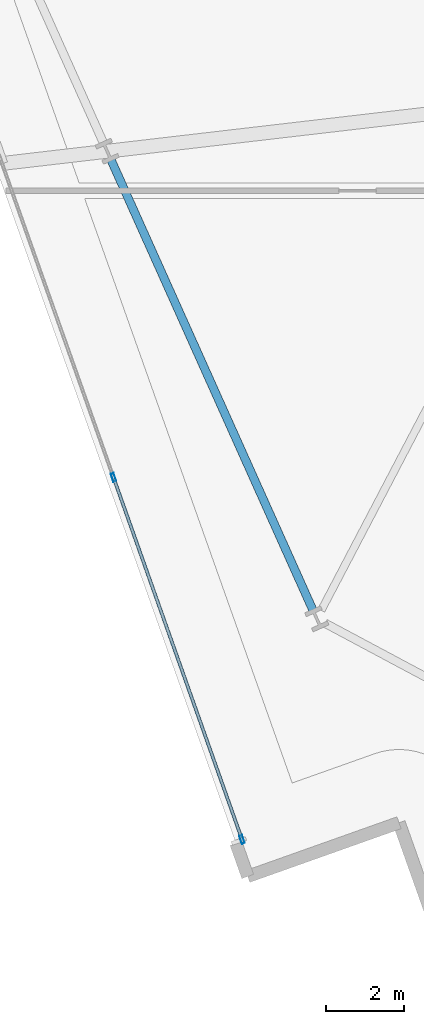
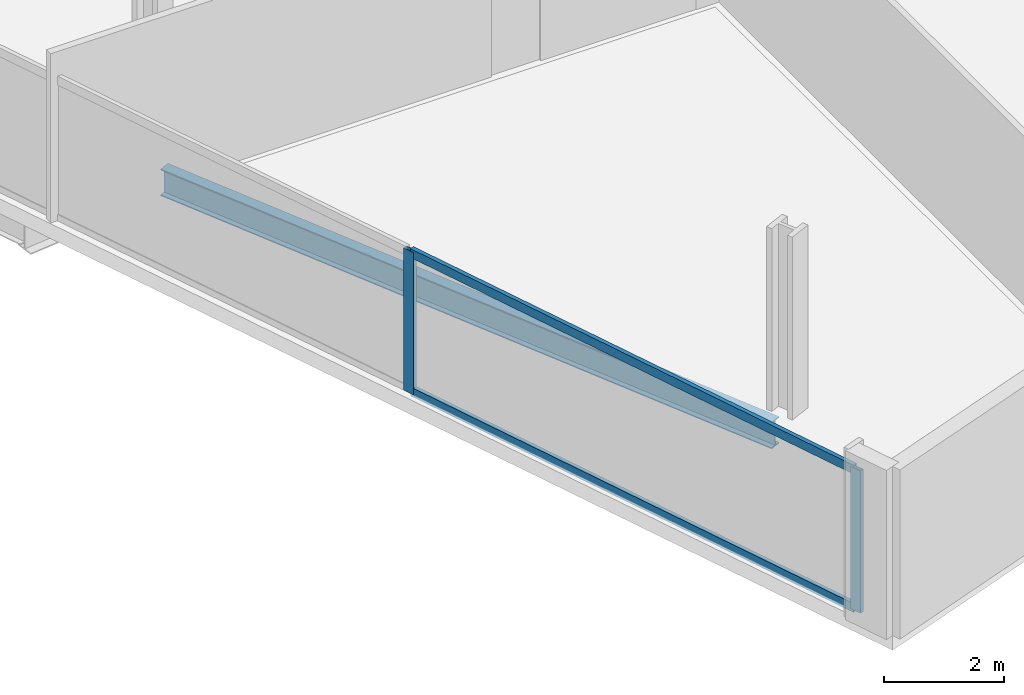
# One storey, part 2 of 33: 4 members, 1 beam, 1 element without a shape of its own.
"""IFC4 building model written with IfcOpenShell, lengths in metres."""

from ifc_helpers import new_model, si_unit, direction, frame, origin, origin_2d, place, context, subcontext, project, spatial, hollow_rectangle, i_section, extrude, material, material_profile, profile_set, type_object, element, aggregate, save


model = new_model("IFC4")

# Units and contexts
model_context = context("Model", 3, precision=1e-05, world=origin(), true_north=direction((0.0, 1.0)))
body_context = subcontext(model_context, "Body", "Model", "MODEL_VIEW")
ifc_project = project(units=[si_unit("LENGTHUNIT", "METRE"), si_unit("AREAUNIT", "SQUARE_METRE"), si_unit("VOLUMEUNIT", "CUBIC_METRE"), si_unit("PLANEANGLEUNIT", "RADIAN"), si_unit("MASSUNIT", "GRAM", prefix="KILO")], contexts=[model_context])

# Site, building, storey
site_placement = place(None, origin())
site = spatial("IfcSite", under=ifc_project, at=site_placement, CompositionType="ELEMENT")
building_placement = place(site_placement, origin())
building = spatial("IfcBuilding", under=site, at=building_placement, Name="Haldenkirk Collegiate Tower", CompositionType="ELEMENT")
storey_placement = place(building_placement, frame((0.0, 0.0, 94.199951171875)))
storey = spatial("IfcBuildingStorey", under=building, at=storey_placement, Name="L22", CompositionType="ELEMENT", Elevation=94.199951171875)

# Beam
ifc_material_1 = material(Name="Steel ASTM A992 Grade 50", Category="steel")
ifc_material_profile_1 = material_profile(ifc_material_1, i_section(OverallWidth=0.2119140625, OverallDepth=0.5439453125, WebThickness=0.01318359375, FlangeThickness=0.021240234375, at=origin_2d()), Name="W21X83")
ifc_profile_set_1 = profile_set([ifc_material_profile_1], Name="Steel ASTM A992 Grade 50")
beam_type = type_object("IfcBeamType", Name="BM-SPANDREL-W21X83", PredefinedType="SPANDREL", material=ifc_profile_set_1)
beam_placement = place(storey_placement, frame((14.742919921875, 16.3369140625, -0.572021484375), z_axis=(0.409131045523, -0.91247563671, 0.0), x_axis=(0.91247563671, 0.409131045523, 0.0)))
element("IfcBeam", 1, at=beam_placement, inside=storey, type_object=beam_type, Name="L22 perimeter spandrel beam 15", PredefinedType="SPANDREL", context=body_context, shape_type="SweptSolid", body=[
    extrude(i_section(OverallWidth=0.2119140625, OverallDepth=0.5439453125, WebThickness=0.01318359375, FlangeThickness=0.021240234375, at=origin_2d()), origin(), (0.0, 0.0, 1.0), 12.593994140625),
])

# Curtain wall, members
ifc_material_2 = material(Name="Anodised architectural bronze aluminium", Category="aluminium")
curtain_wall_type = type_object("IfcCurtainWallType", Name="CW-SYS1-CONVEX-LOW", PredefinedType="USERDEFINED", material=ifc_material_2)
curtain_wall_placement = place(storey_placement, origin())
curtain_wall = element("IfcCurtainWall", 2, at=curtain_wall_placement, inside=storey, type_object=curtain_wall_type, Name="L22 Lower tower convex bronze-framed unitised curtain wall", ObjectType="UNITISED CURTAIN WALL", PredefinedType="USERDEFINED")
ifc_material_profile_2 = material_profile(ifc_material_2, hollow_rectangle(XDim=0.080078125, YDim=0.219970703125, WallThickness=0.0048828125, at=origin_2d()), Name="CW-MUL-1A")
ifc_profile_set_2 = profile_set([ifc_material_profile_2], Name="Anodised architectural bronze aluminium")
member_type_1 = type_object("IfcMemberType", Name="CW-MUL-1A", PredefinedType="MULLION", material=ifc_profile_set_2)
member_1_placement = place(storey_placement, frame((18.086181640625, -1.01171875, 0.0), z_axis=(0.0, 0.0, 1.0), x_axis=(-0.942350931235, -0.334626242845, 0.0)))
member_1 = element("IfcMember", 3, at=member_1_placement, type_object=member_type_1, Name="CW-1A mullion 1", PredefinedType="MULLION", context=body_context, shape_type="SweptSolid", body=[
    extrude(hollow_rectangle(XDim=0.080078125, YDim=0.219970703125, WallThickness=0.0048828125, at=origin_2d()), origin(), (0.0, 0.0, 1.0), 2.901123046875),
])
member_2_placement = place(storey_placement, frame((14.803466796875, 8.232666015625, 0.0), z_axis=(0.0, 0.0, 1.0), x_axis=(-0.942350931235, -0.334626242845, 0.0)))
member_2 = element("IfcMember", 4, at=member_2_placement, type_object=member_type_1, Name="CW-1A mullion 2", PredefinedType="MULLION", context=body_context, shape_type="SweptSolid", body=[
    extrude(hollow_rectangle(XDim=0.080078125, YDim=0.219970703125, WallThickness=0.0048828125, at=origin_2d()), origin(), (0.0, 0.0, 1.0), 2.901123046875),
])
ifc_material_profile_3 = material_profile(ifc_material_2, hollow_rectangle(XDim=0.080078125, YDim=0.179931640625, WallThickness=0.0048828125, at=origin_2d()), Name="CW-TRN-1A")
ifc_profile_set_3 = profile_set([ifc_material_profile_3], Name="Anodised architectural bronze aluminium")
member_type_2 = type_object("IfcMemberType", Name="CW-TRN-1A", PredefinedType="USERDEFINED", material=ifc_profile_set_3)
member_3_placement = place(storey_placement, frame((18.07275390625, -0.97412109375, 0.0400390625), z_axis=(-0.334617593947, 0.94235400239, 0.0), x_axis=(-0.94235400239, -0.334617593947, 0.0)))
member_3 = element("IfcMember", 5, at=member_3_placement, type_object=member_type_2, Name="CW-1A transom 1.1", ObjectType="TRANSOM", PredefinedType="USERDEFINED", context=body_context, shape_type="SweptSolid", body=[
    extrude(hollow_rectangle(XDim=0.080078125, YDim=0.179931640625, WallThickness=0.0048828125, at=origin_2d()), origin(), (0.0, 0.0, 1.0), 9.72998046875),
])
member_4_placement = place(storey_placement, frame((18.07275390625, -0.97412109375, 2.861083984375), z_axis=(-0.334617593947, 0.94235400239, 0.0), x_axis=(-0.94235400239, -0.334617593947, 0.0)))
member_4 = element("IfcMember", 6, at=member_4_placement, type_object=member_type_2, Name="CW-1A transom 1.2", ObjectType="TRANSOM", PredefinedType="USERDEFINED", context=body_context, shape_type="SweptSolid", body=[
    extrude(hollow_rectangle(XDim=0.080078125, YDim=0.179931640625, WallThickness=0.0048828125, at=origin_2d()), origin(), (0.0, 0.0, 1.0), 9.72998046875),
])
aggregate(curtain_wall, [member_1, member_2, member_3, member_4])

save(model, "model.ifc")
